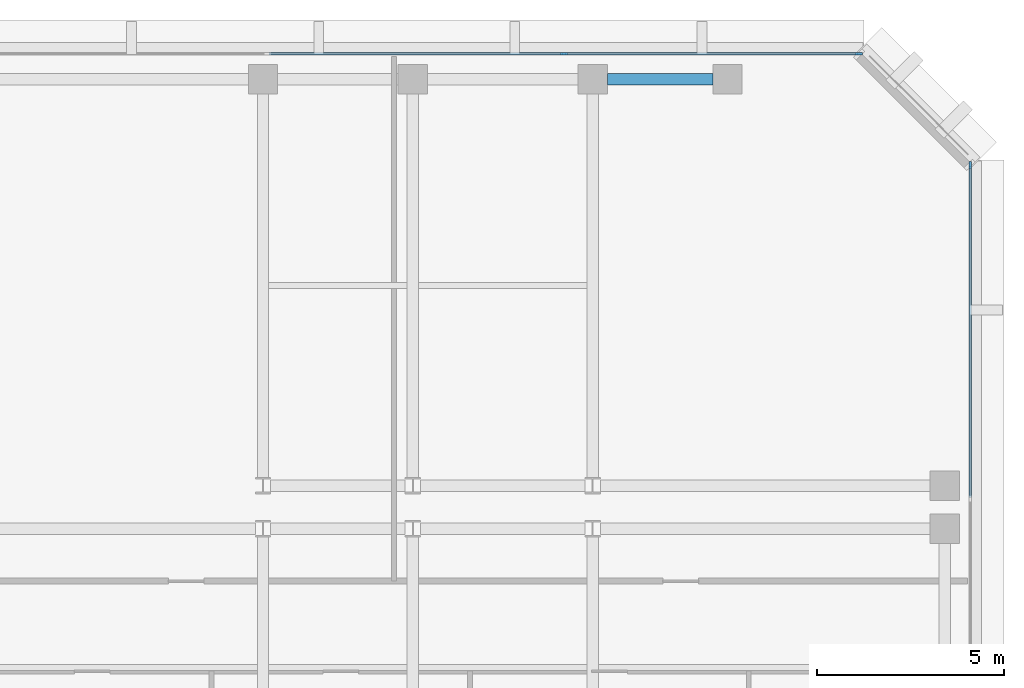
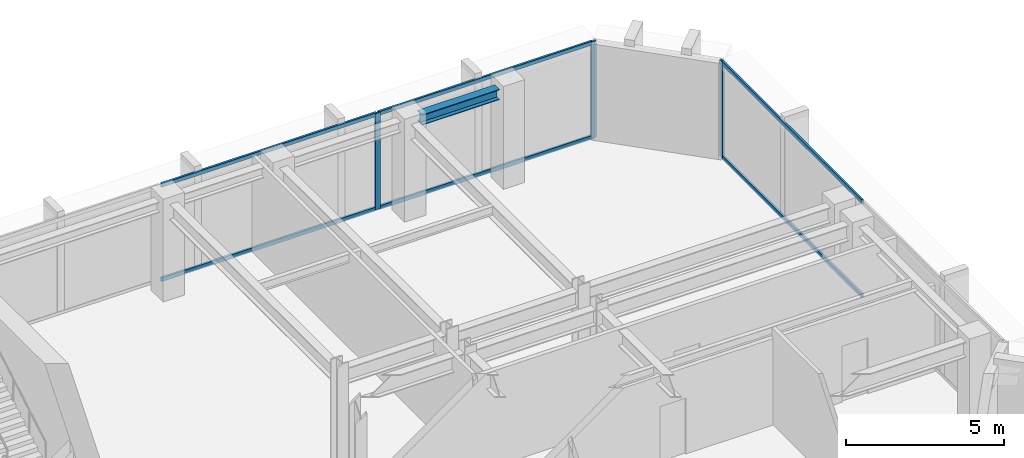
# One storey, part 5 of 12: 9 members, 1 beam, 2 elements without a shape of their own.
"""IFC4 building model written with IfcOpenShell, lengths in metres."""

import ifcopenshell
import ifcopenshell.guid

model = None  # the IFC model being written
_history = None  # IfcOwnerHistory: only IFC2X3 demands one
_inside = {}  # id of a spatial element -> (the spatial element, [elements in it])
_under = {}  # id of a project, library or spatial element -> (it, [spatial elements below it])
_declared = {}  # id of a project -> (the project, [libraries it declares])
_typed = {}  # id of a type object -> (the type object, [elements of that type])
_made_of = {}  # id of a material, layer set ... -> (it, [elements and type objects made of it])


def new_model(schema):
    """Start an empty IFC model of exactly this schema.

    Asked for "IFC4X3", IfcOpenShell would pick the latest addendum, in which some entities
    have other attributes; the version numbers below select the first issue.
    IFC2X3 requires an IfcOwnerHistory on every rooted entity: one is made here for all.
    """
    global model, _history
    if schema == "IFC4X3":
        model = ifcopenshell.file(schema_version=(4, 3, 0, 0))
    else:
        model = ifcopenshell.file(schema=schema)
    _inside.clear()
    _under.clear()
    _declared.clear()
    _typed.clear()
    _made_of.clear()
    _history = None
    if model.schema == "IFC2X3":
        org = make("IfcOrganization", Name="unknown")
        user = make(
            "IfcPersonAndOrganization",
            ThePerson=make("IfcPerson", FamilyName="unknown"),
            TheOrganization=org,
        )
        app = make(
            "IfcApplication",
            ApplicationDeveloper=org,
            Version="unknown",
            ApplicationFullName="unknown",
            ApplicationIdentifier="unknown",
        )
        _history = make(
            "IfcOwnerHistory",
            OwningUser=user,
            OwningApplication=app,
            ChangeAction="ADDED",
            CreationDate=0,
        )
    return model


def make(cls, **values):
    """One entity of the class cls with the attributes given. An attribute that is None is left unset."""
    return model.create_entity(
        cls, **{name: value for name, value in values.items() if value is not None}
    )


def rooted(cls, **values):
    """An entity with a GlobalId (a new one), such as an element, a storey or a relation."""
    return make(cls, GlobalId=ifcopenshell.guid.new(), OwnerHistory=_history, **values)


def si_unit(unit_type, name, prefix=None):
    """IfcSIUnit, for example si_unit("LENGTHUNIT", "METRE", prefix="MILLI")."""
    return make("IfcSIUnit", UnitType=unit_type, Prefix=prefix, Name=name)


def assignment(units):
    """IfcUnitAssignment: the units of a project."""
    return None if units is None else make("IfcUnitAssignment", Units=units)


def point(xyz):
    """IfcCartesianPoint."""
    return None if xyz is None else make("IfcCartesianPoint", Coordinates=xyz)


def direction(xyz):
    """IfcDirection."""
    return None if xyz is None else make("IfcDirection", DirectionRatios=xyz)


def frame(location, z_axis=None, x_axis=None):
    """IfcAxis2Placement3D, a coordinate frame: its origin and axes. An axis left out is left unset."""
    return make(
        "IfcAxis2Placement3D",
        Location=point(location),
        Axis=direction(z_axis),
        RefDirection=direction(x_axis),
    )


def frame_2d(location, x_axis=None):
    """IfcAxis2Placement2D, a coordinate frame in the plane: its origin and x axis."""
    return make(
        "IfcAxis2Placement2D", Location=point(location), RefDirection=direction(x_axis)
    )


def origin():
    """The frame at (0, 0, 0) with its axes left unset."""
    return frame((0.0, 0.0, 0.0))


def origin_2d():
    """The frame at (0, 0) in the plane with its x axis left unset."""
    return frame_2d((0.0, 0.0))


def place(relative_to, where):
    """IfcLocalPlacement: puts the frame where relative to a parent placement (None: the world)."""
    return make(
        "IfcLocalPlacement", PlacementRelTo=relative_to, RelativePlacement=where
    )


def context(
    kind, dimensions, precision=None, world=None, true_north=None, identifier=None
):
    """IfcGeometricRepresentationContext, for example the 3D "Model" context."""
    return make(
        "IfcGeometricRepresentationContext",
        ContextIdentifier=identifier,
        ContextType=kind,
        CoordinateSpaceDimension=dimensions,
        Precision=precision,
        WorldCoordinateSystem=world,
        TrueNorth=true_north,
    )


def subcontext(parent, identifier, kind, view, scale=None):
    """IfcGeometricRepresentationSubContext, for example "Body" below "Model"."""
    return make(
        "IfcGeometricRepresentationSubContext",
        ContextIdentifier=identifier,
        ContextType=kind,
        ParentContext=parent,
        TargetScale=scale,
        TargetView=view,
    )


def project(units=None, contexts=None):
    """IfcProject with its units and contexts."""
    return rooted(
        "IfcProject",
        Name="project",
        RepresentationContexts=contexts,
        UnitsInContext=assignment(units),
    )


def spatial(cls, under=None, at=None, **own):
    """A site, building, storey or space (cls), placed at a placement, below another one or the project."""
    s = rooted(cls, ObjectPlacement=at, **own)
    if under is not None:
        _under.setdefault(under.id(), (under, []))[1].append(s)
    return s


def profile(cls, at=None, kind="AREA", **sizes):
    """A parametric profile (cls). Its sizes go by their IFC names, for example OverallWidth=200.0."""
    return make(cls, ProfileType=kind, Position=at, **sizes)


def rectangle(**sizes):
    """IfcRectangleProfileDef."""
    return profile("IfcRectangleProfileDef", **sizes)


def i_section(**sizes):
    """IfcIShapeProfileDef."""
    return profile("IfcIShapeProfileDef", **sizes)


def extrude(swept, where, along, depth):
    """IfcExtrudedAreaSolid: the profile swept, set in the frame where, extruded along a direction by depth."""
    return make(
        "IfcExtrudedAreaSolid",
        SweptArea=swept,
        Position=where,
        ExtrudedDirection=direction(along),
        Depth=depth,
    )


def shape(context_of_items, identifier, shape_type, items):
    """IfcShapeRepresentation: the items that make up one representation, for example the "Body"."""
    return make(
        "IfcShapeRepresentation",
        ContextOfItems=context_of_items,
        RepresentationIdentifier=identifier,
        RepresentationType=shape_type,
        Items=items,
    )


def material(Name=None, Category=None):
    """IfcMaterial."""
    return make("IfcMaterial", Name=Name, Category=Category)


def layer(
    of_material, thickness, ventilated=None, Name=None, Category=None, Priority=None
):
    """IfcMaterialLayer: one layer of a wall or slab, of a material (None: an air gap)."""
    return make(
        "IfcMaterialLayer",
        Material=of_material,
        LayerThickness=thickness,
        IsVentilated=ventilated,
        Name=Name,
        Category=Category,
        Priority=Priority,
    )


def layer_set(layers, Name=None):
    """IfcMaterialLayerSet."""
    return make("IfcMaterialLayerSet", MaterialLayers=layers, LayerSetName=Name)


def material_profile(
    of_material, cross_section, Name=None, Category=None, Priority=None
):
    """IfcMaterialProfile: a cross section and its material."""
    return make(
        "IfcMaterialProfile",
        Name=Name,
        Material=of_material,
        Profile=cross_section,
        Priority=Priority,
        Category=Category,
    )


def profile_set(profiles, Name=None, composite=None):
    """IfcMaterialProfileSet."""
    return make(
        "IfcMaterialProfileSet",
        Name=Name,
        MaterialProfiles=profiles,
        CompositeProfile=composite,
    )


def made_of(thing, what):
    """Note that an element or type object is made of a material, layer set ...; save() writes the relation."""
    if what is not None:
        _made_of.setdefault(what.id(), (what, []))[1].append(thing)
    return thing


def type_object(cls, material=None, **own):
    """A type object (cls), such as IfcWallType, which elements share."""
    return made_of(rooted(cls, **own), material)


def element(
    cls,
    number,
    at=None,
    inside=None,
    cuts=None,
    type_object=None,
    material=None,
    context=None,
    identifier="Body",
    shape_type=None,
    held_by="IfcProductDefinitionShape",
    body=None,
    shapes=None,
    **own,
):
    """One element of the class cls, such as IfcWall. Its Tag is "e" and its number.

    at: its placement. inside: the storey or other place that contains it. cuts: it is an
    opening in that element (IfcRelVoidsElement). A single representation is given by context,
    identifier, shape_type and body (its items); several are given by shapes. held_by: the class
    of the entity that holds the representations. save() writes the other relations.
    """
    e = rooted(cls, Tag="e%d" % number, ObjectPlacement=at, **own)
    if body is not None:
        shapes = [shape(context, identifier, shape_type, body)]
    if shapes is not None:
        e.Representation = make(held_by, Representations=shapes)
    if inside is not None:
        _inside.setdefault(inside.id(), (inside, []))[1].append(e)
    if cuts is not None:
        rooted(
            "IfcRelVoidsElement", RelatingBuildingElement=cuts, RelatedOpeningElement=e
        )
    if type_object is not None:
        _typed.setdefault(type_object.id(), (type_object, []))[1].append(e)
    return made_of(e, material)


def aggregate(whole, parts):
    """IfcRelAggregates: a whole, such as a stair, and the parts it consists of."""
    return rooted("IfcRelAggregates", RelatingObject=whole, RelatedObjects=parts)


def save(model, path):
    """Write the relations noted so far, then the file.

    IfcRelAggregates (storeys below a building ...), IfcRelContainedInSpatialStructure (elements
    in a storey), IfcRelDefinesByType, IfcRelAssociatesMaterial and IfcRelDeclares: one each for
    every whole, place, type object, material and project.
    """
    for whole, parts in _under.values():
        aggregate(whole, parts)
    for where, things in _inside.values():
        rooted(
            "IfcRelContainedInSpatialStructure",
            RelatedElements=things,
            RelatingStructure=where,
        )
    for kind, things in _typed.values():
        rooted("IfcRelDefinesByType", RelatedObjects=things, RelatingType=kind)
    for what, things in _made_of.values():
        rooted("IfcRelAssociatesMaterial", RelatedObjects=things, RelatingMaterial=what)
    for by, libraries in _declared.values():
        rooted("IfcRelDeclares", RelatingContext=by, RelatedDefinitions=libraries)
    model.write(path)


model = new_model("IFC4")

# Units and contexts
model_context = context("Model", 3, precision=1e-05, world=origin(), true_north=direction((0.0, 1.0)))
body_context = subcontext(model_context, "Body", "Model", "MODEL_VIEW")
ifc_project = project(units=[si_unit("LENGTHUNIT", "METRE"), si_unit("AREAUNIT", "SQUARE_METRE"), si_unit("VOLUMEUNIT", "CUBIC_METRE"), si_unit("PLANEANGLEUNIT", "RADIAN"), si_unit("MASSUNIT", "GRAM", prefix="KILO")], contexts=[model_context])

# Site, building, storey
site_placement = place(None, origin())
site = spatial("IfcSite", under=ifc_project, at=site_placement, CompositionType="ELEMENT")
building_placement = place(site_placement, origin())
building = spatial("IfcBuilding", under=site, at=building_placement, Name="Kefirva Bronze Tower", CompositionType="ELEMENT")
storey_placement = place(building_placement, frame((0.0, 0.0, 211.199951171875)))
storey = spatial("IfcBuildingStorey", under=building, at=storey_placement, Name="L51", CompositionType="ELEMENT", Elevation=211.199951171875)

# Curtain wall, member
ifc_material_1 = material(Name="Bronze anodised aluminium", Category="aluminium")
ifc_layer = layer(ifc_material_1, 0.179931640625, Name="Bronze anodised aluminium")
ifc_layer_set = layer_set([ifc_layer], Name="Bronze anodised aluminium")
curtain_wall_type = type_object("IfcCurtainWallType", Name="Unitised Bronze Ribbon Curtain Wall Zone 3", PredefinedType="USERDEFINED", material=ifc_layer_set)
curtain_wall_1_placement = place(storey_placement, origin())
curtain_wall_1 = element("IfcCurtainWall", 1, at=curtain_wall_1_placement, inside=storey, type_object=curtain_wall_type, Name="L51 Curtain Wall 2", ObjectType="UNITISED CURTAIN WALL", PredefinedType="USERDEFINED")
ifc_material_profile_1 = material_profile(ifc_material_1, rectangle(XDim=0.074951171875, YDim=0.179931640625, at=origin_2d()), Name="ALU 75x180")
ifc_profile_set_1 = profile_set([ifc_material_profile_1], Name="Bronze anodised aluminium")
member_type_1 = type_object("IfcMemberType", Name="Bronze Mullion 75x180", PredefinedType="MULLION", material=ifc_profile_set_1)
member_1_placement = place(storey_placement, frame((50.080078125, 42.907470703125, 0.0), z_axis=(0.0, 0.0, 1.0), x_axis=(-1.0, 0.0, 0.0)))
member_1 = element("IfcMember", 2, at=member_1_placement, type_object=member_type_1, Name="CW-03 mullion 3", PredefinedType="MULLION", context=body_context, shape_type="SweptSolid", body=[
    extrude(rectangle(XDim=0.074951171875, YDim=0.179931640625, at=origin_2d()), origin(), (0.0, 0.0, 1.0), 3.7099609375),
])

# Curtain wall, members
curtain_wall_2_placement = place(storey_placement, origin())
curtain_wall_2 = element("IfcCurtainWall", 3, at=curtain_wall_2_placement, inside=storey, type_object=curtain_wall_type, Name="L51 Curtain Wall 3", ObjectType="UNITISED CURTAIN WALL", PredefinedType="USERDEFINED")
member_2_placement = place(storey_placement, frame((47.107421875, 45.8798828125, 0.0), z_axis=(0.0, 0.0, 1.0), x_axis=(0.0, -1.0, 0.0)))
member_2 = element("IfcMember", 4, at=member_2_placement, type_object=member_type_1, Name="CW-03 mullion 1", PredefinedType="MULLION", context=body_context, shape_type="SweptSolid", body=[
    extrude(rectangle(XDim=0.074951171875, YDim=0.179931640625, at=origin_2d()), origin(), (0.0, 0.0, 1.0), 3.7099609375),
])
member_3_placement = place(storey_placement, frame((39.231689453125, 45.8798828125, 0.0), z_axis=(0.0, 0.0, 1.0), x_axis=(0.0, -1.0, 0.0)))
member_3 = element("IfcMember", 5, at=member_3_placement, type_object=member_type_1, Name="CW-03 mullion 2", PredefinedType="MULLION", context=body_context, shape_type="SweptSolid", body=[
    extrude(rectangle(XDim=0.074951171875, YDim=0.179931640625, at=origin_2d()), origin(), (0.0, 0.0, 1.0), 3.7099609375),
])

# Member
ifc_material_profile_2 = material_profile(ifc_material_1, rectangle(XDim=0.074951171875, YDim=0.14990234375, at=origin_2d()), Name="ALU 75x150")
ifc_profile_set_2 = profile_set([ifc_material_profile_2], Name="Bronze anodised aluminium")
member_type_2 = type_object("IfcMemberType", Name="Bronze Transom 75x150", PredefinedType="USERDEFINED", material=ifc_profile_set_2)
member_4_placement = place(storey_placement, frame((50.080078125, 34.03759765625, 0.03759765625), z_axis=(0.0, 1.0, 0.0), x_axis=(-1.0, 0.0, 0.0)))
member_4 = element("IfcMember", 6, at=member_4_placement, type_object=member_type_2, Name="CW-03 transom 2.1", ObjectType="TRANSOM", PredefinedType="USERDEFINED", context=body_context, shape_type="SweptSolid", body=[
    extrude(rectangle(XDim=0.074951171875, YDim=0.14990234375, at=origin_2d()), origin(), (0.0, 0.0, 1.0), 8.83251953125),
])

member_5_placement = place(storey_placement, frame((50.080078125, 34.03759765625, 3.672607421875), z_axis=(0.0, 1.0, 0.0), x_axis=(-1.0, 0.0, 0.0)))
member_5 = element("IfcMember", 7, at=member_5_placement, type_object=member_type_2, Name="CW-03 transom 2.2", ObjectType="TRANSOM", PredefinedType="USERDEFINED", context=body_context, shape_type="SweptSolid", body=[
    extrude(rectangle(XDim=0.074951171875, YDim=0.14990234375, at=origin_2d()), origin(), (0.0, 0.0, 1.0), 8.83251953125),
])

aggregate(curtain_wall_1, [member_1, member_4, member_5])

member_6_placement = place(storey_placement, frame((47.070068359375, 45.8798828125, 0.03759765625), z_axis=(-1.0, 0.0, 0.0), x_axis=(0.0, -1.0, 0.0)))
member_6 = element("IfcMember", 8, at=member_6_placement, type_object=member_type_2, Name="CW-03 transom 1.1", ObjectType="TRANSOM", PredefinedType="USERDEFINED", context=body_context, shape_type="SweptSolid", body=[
    extrude(rectangle(XDim=0.074951171875, YDim=0.14990234375, at=origin_2d()), origin(), (0.0, 0.0, 1.0), 7.80078125),
])

member_7_placement = place(storey_placement, frame((47.070068359375, 45.8798828125, 3.672607421875), z_axis=(-1.0, 0.0, 0.0), x_axis=(0.0, -1.0, 0.0)))
member_7 = element("IfcMember", 9, at=member_7_placement, type_object=member_type_2, Name="CW-03 transom 1.2", ObjectType="TRANSOM", PredefinedType="USERDEFINED", context=body_context, shape_type="SweptSolid", body=[
    extrude(rectangle(XDim=0.074951171875, YDim=0.14990234375, at=origin_2d()), origin(), (0.0, 0.0, 1.0), 7.80078125),
])

member_8_placement = place(storey_placement, frame((39.194091796875, 45.8798828125, 0.03759765625), z_axis=(-1.0, 0.0, 0.0), x_axis=(0.0, -1.0, 0.0)))
member_8 = element("IfcMember", 10, at=member_8_placement, type_object=member_type_2, Name="CW-03 transom 2.1", ObjectType="TRANSOM", PredefinedType="USERDEFINED", context=body_context, shape_type="SweptSolid", body=[
    extrude(rectangle(XDim=0.074951171875, YDim=0.14990234375, at=origin_2d()), origin(), (0.0, 0.0, 1.0), 7.83837890625),
])

member_9_placement = place(storey_placement, frame((39.194091796875, 45.8798828125, 3.672607421875), z_axis=(-1.0, 0.0, 0.0), x_axis=(0.0, -1.0, 0.0)))
member_9 = element("IfcMember", 11, at=member_9_placement, type_object=member_type_2, Name="CW-03 transom 2.2", ObjectType="TRANSOM", PredefinedType="USERDEFINED", context=body_context, shape_type="SweptSolid", body=[
    extrude(rectangle(XDim=0.074951171875, YDim=0.14990234375, at=origin_2d()), origin(), (0.0, 0.0, 1.0), 7.83837890625),
])

aggregate(curtain_wall_2, [member_2, member_3, member_6, member_7, member_8, member_9])

# Beam
ifc_material_2 = material(Name="Steel S355", Category="steel")
ifc_material_profile_3 = material_profile(ifc_material_2, i_section(OverallWidth=0.300048828125, OverallDepth=0.39990234375, WebThickness=0.013427734375, FlangeThickness=0.02392578125, at=origin_2d()), Name="HEB 400")
ifc_profile_set_3 = profile_set([ifc_material_profile_3], Name="Steel S355")
beam_type = type_object("IfcBeamType", Name="Steel Spandrel HEB 400 Ext", PredefinedType="SPANDREL", material=ifc_profile_set_3)
beam_placement = place(storey_placement, frame((40.389892578125, 45.199951171875, 3.510009765625), z_axis=(1.0, 0.0, 0.0), x_axis=(0.0, 1.0, 0.0)))
element("IfcBeam", 12, at=beam_placement, inside=storey, type_object=beam_type, Name="L51 BM-L51-EW-40-452", PredefinedType="SPANDREL", context=body_context, shape_type="SweptSolid", body=[
    extrude(i_section(OverallWidth=0.300048828125, OverallDepth=0.39990234375, WebThickness=0.013427734375, FlangeThickness=0.02392578125, at=origin_2d()), origin(), (0.0, 0.0, 1.0), 2.820068359375),
])

save(model, "model.ifc")
